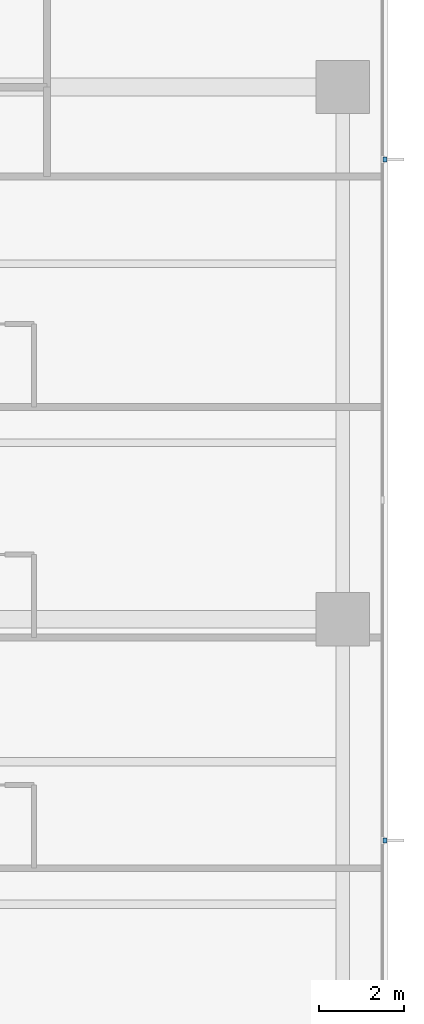
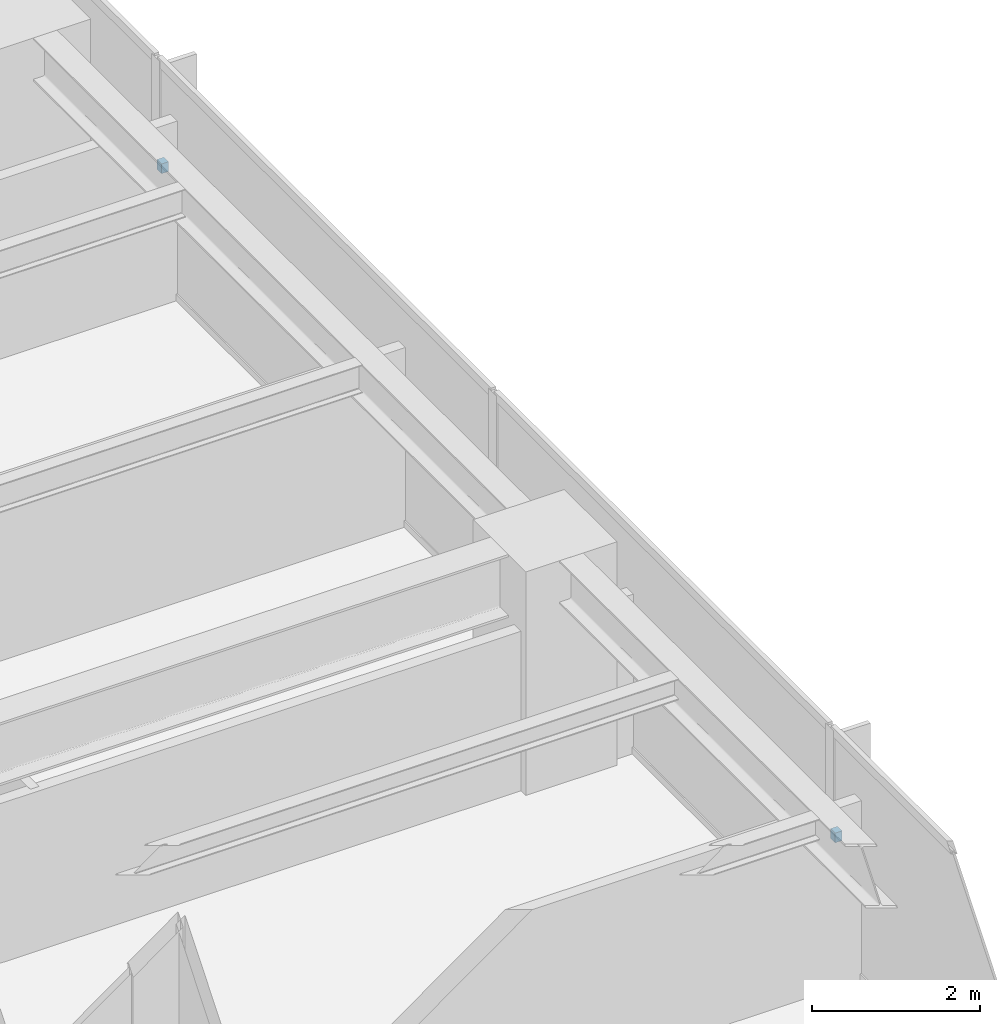
# One storey, part 14 of 17: 2 discrete accessories.
"""IFC4 building model written with IfcOpenShell, lengths in metres."""

from ifc_helpers import new_model, si_unit, direction, frame, origin, place, context, subcontext, project, spatial, polyline, outline, extrude, material, type_object, element, save


model = new_model("IFC4")

# Units and contexts
model_context = context("Model", 3, precision=1e-05, world=origin(), true_north=direction((0.0, 1.0)))
body_context = subcontext(model_context, "Body", "Model", "MODEL_VIEW")
ifc_project = project(units=[si_unit("LENGTHUNIT", "METRE"), si_unit("AREAUNIT", "SQUARE_METRE"), si_unit("VOLUMEUNIT", "CUBIC_METRE"), si_unit("PLANEANGLEUNIT", "RADIAN"), si_unit("MASSUNIT", "GRAM", prefix="KILO")], contexts=[model_context])

# Site, building, storey
site_placement = place(None, origin())
site = spatial("IfcSite", under=ifc_project, at=site_placement, CompositionType="ELEMENT")
building_placement = place(site_placement, origin())
building = spatial("IfcBuilding", under=site, at=building_placement, Name="Qalmaran Belvedere Hotel", CompositionType="ELEMENT")
storey_placement = place(building_placement, frame((0.0, 0.0, 105.699951171875)))
storey = spatial("IfcBuildingStorey", under=building, at=storey_placement, Name="L26", CompositionType="ELEMENT", Elevation=105.699951171875)

# Discrete accessories
ifc_material = material(Name="Stainless Steel 1.4401", Category="steel")
discrete_accessory_type = type_object("IfcDiscreteAccessoryType", Name="BRK-FIN-SS316", PredefinedType="BRACKET", material=ifc_material)
discrete_accessory_1_placement = place(storey_placement, frame((0.0, 0.0, 1.570068359375)))
element("IfcDiscreteAccessory", 1, at=discrete_accessory_1_placement, inside=storey, type_object=discrete_accessory_type, Name="L26 Fin Bracket 1", PredefinedType="BRACKET", context=body_context, shape_type="SweptSolid", body=[
    extrude(outline(polyline([(58.89501953125, 15.2451171875), (58.989990234375, 15.2451171875), (58.989990234375, 15.35498046875), (58.89501953125, 15.35498046875), (58.89501953125, 15.2451171875)])), origin(), (0.0, 0.0, 1.0), 0.139892578125),
])
discrete_accessory_2_placement = place(storey_placement, frame((0.0, 0.0, 1.570068359375)))
element("IfcDiscreteAccessory", 2, at=discrete_accessory_2_placement, inside=storey, type_object=discrete_accessory_type, Name="L26 Fin Bracket 3", PredefinedType="BRACKET", context=body_context, shape_type="SweptSolid", body=[
    extrude(outline(polyline([(58.89501953125, 31.2451171875), (58.989990234375, 31.2451171875), (58.989990234375, 31.35498046875), (58.89501953125, 31.35498046875), (58.89501953125, 31.2451171875)])), origin(), (0.0, 0.0, 1.0), 0.139892578125),
])

save(model, "model.ifc")
